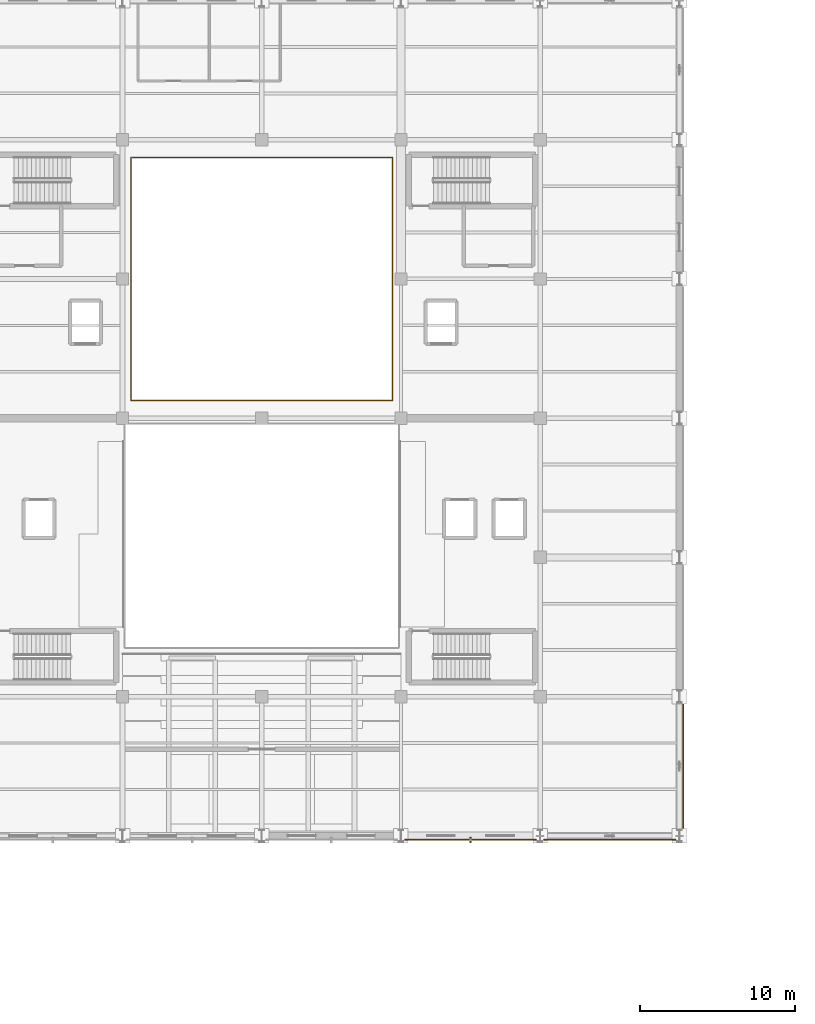
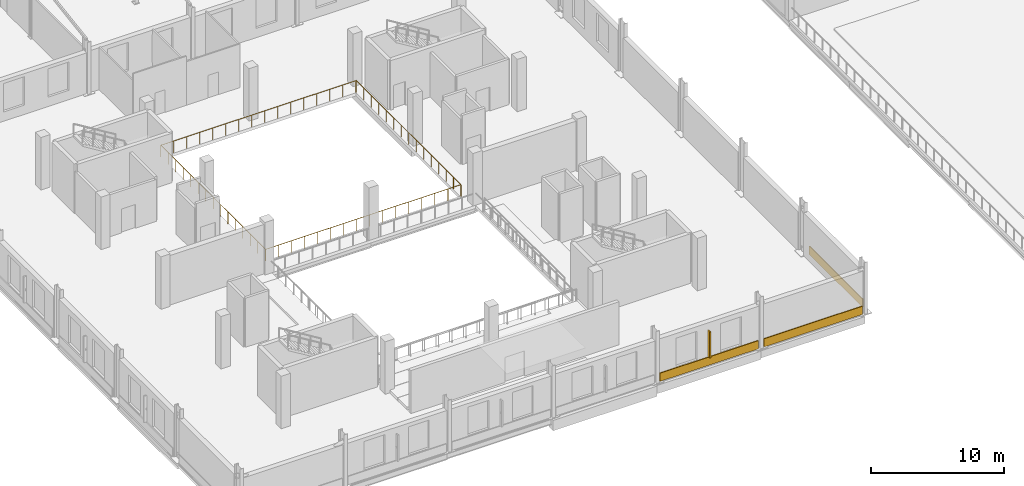
# One storey, part 46 of 54: 3 coverings, 2 railings, 1 shading device.
"""IFC4 building model written with IfcOpenShell, lengths in metres."""

from ifc_helpers import new_model, si_unit, direction, frame, origin, origin_2d, place, context, subcontext, project, spatial, rectangle, circle, extrude, material, layer, layer_set, type_object, element, save


model = new_model("IFC4")

# Units and contexts
model_context = context("Model", 3, precision=1e-05, world=origin(), true_north=direction((0.0, 1.0)))
body_context = subcontext(model_context, "Body", "Model", "MODEL_VIEW")
ifc_project = project(units=[si_unit("LENGTHUNIT", "METRE"), si_unit("AREAUNIT", "SQUARE_METRE"), si_unit("VOLUMEUNIT", "CUBIC_METRE"), si_unit("PLANEANGLEUNIT", "RADIAN"), si_unit("MASSUNIT", "GRAM", prefix="KILO")], contexts=[model_context])

# Site, building, storey
site_placement = place(None, origin())
site = spatial("IfcSite", under=ifc_project, at=site_placement, CompositionType="ELEMENT")
building_placement = place(site_placement, origin())
building = spatial("IfcBuilding", under=site, at=building_placement, Name="Sundgate Opera House", CompositionType="ELEMENT")
storey_placement = place(building_placement, frame((0.0, 0.0, 16.800048828125)))
storey = spatial("IfcBuildingStorey", under=building, at=storey_placement, Name="L03", CompositionType="ELEMENT", Elevation=16.800048828125)

# Coverings
ifc_material_1 = material(Name="Deep-carved Komstad limestone relief panel", Category="masonry")
ifc_layer_1 = layer(ifc_material_1, 0.094970703125)
ifc_layer_set_1 = layer_set([ifc_layer_1], Name="Deep-carved Komstad limestone relief panel")
covering_type_1 = type_object("IfcCoveringType", Name="CV-TRENC-DEEP", PredefinedType="CLADDING", material=ifc_layer_set_1)
covering_1_placement = place(storey_placement, frame((67.5, 32.742431640625, 0.044921875), z_axis=(0.0, 0.0, 1.0), x_axis=(1.0, 0.0, 0.0)))
element("IfcCovering", 1, at=covering_1_placement, inside=storey, type_object=covering_type_1, Name="L03 Trencadis 750mm Relief Band CV0033", PredefinedType="CLADDING", context=body_context, shape_type="SweptSolid", body=[
    extrude(rectangle(XDim=8.510009765625, YDim=0.074951171875, at=origin_2d()), origin(), (0.0, 0.0, 1.0), 0.75),
])
ifc_material_2 = material(Name="Frost-proof vitrified stoneware trencadis relief tile", Category="masonry")
ifc_layer_2 = layer(ifc_material_2, 0.074951171875)
ifc_layer_set_2 = layer_set([ifc_layer_2], Name="Frost-proof vitrified stoneware trencadis relief tile")
covering_type_2 = type_object("IfcCoveringType", Name="CV-TRENC-RELIEF", PredefinedType="CLADDING", material=ifc_layer_set_2)
covering_2_placement = place(storey_placement, frame((81.257568359375, 37.5, 0.044921875), z_axis=(0.0, 0.0, 1.0), x_axis=(0.0, 1.0, 0.0)))
element("IfcCovering", 2, at=covering_2_placement, inside=storey, type_object=covering_type_2, Name="L03 Trencadis 750mm Relief Band CV0038", PredefinedType="CLADDING", context=body_context, shape_type="SweptSolid", body=[
    extrude(rectangle(XDim=8.010009765625, YDim=0.074951171875, at=origin_2d()), origin(), (0.0, 0.0, 1.0), 0.75),
])
ifc_material_3 = material(Name="Polychrome trencadis mosaic panel", Category="masonry")
ifc_layer_3 = layer(ifc_material_3, 0.054931640625)
ifc_layer_set_3 = layer_set([ifc_layer_3], Name="Polychrome trencadis mosaic panel")
covering_type_3 = type_object("IfcCoveringType", Name="CV-TRENC-SLIM", PredefinedType="CLADDING", material=ifc_layer_set_3)
covering_3_placement = place(storey_placement, frame((76.5, 32.742431640625, 0.044921875), z_axis=(0.0, 0.0, 1.0), x_axis=(1.0, 0.0, 0.0)))
element("IfcCovering", 3, at=covering_3_placement, inside=storey, type_object=covering_type_3, Name="L03 Trencadis 750mm Relief Band CV0035", PredefinedType="CLADDING", context=body_context, shape_type="SweptSolid", body=[
    extrude(rectangle(XDim=8.510009765625, YDim=0.074951171875, at=origin_2d()), origin(), (0.0, 0.0, 1.0), 0.75),
])

# Railings
ifc_material_4 = material(Name="Painted steel S275 guardrail", Category="steel")
railing_type = type_object("IfcRailingType", Name="RL-STAIR-GUARD-1100", PredefinedType="GUARDRAIL", material=ifc_material_4)
railing_1_placement = place(storey_placement, frame((45.550048828125, 61.14990234375, 0.0)))
element("IfcRailing", 4, at=railing_1_placement, inside=storey, type_object=railing_type, Name="L03 Interior Guardrail RL0301", PredefinedType="GUARDRAIL", context=body_context, shape_type="SweptSolid", body=[
    extrude(circle(Radius=0.02392578125, at=origin_2d()), frame((0.0, 0.0, 1.076171875), z_axis=(1.0, 0.0, 0.0), x_axis=(0.0, 1.0, 0.0)), (0.0, 0.0, 1.0), 16.89990234375),
    extrude(circle(Radius=0.02392578125, at=origin_2d()), frame((16.89990234375, 0.0, 1.076171875), z_axis=(0.0, 1.0, 0.0), x_axis=(-1.0, 0.0, 0.0)), (0.0, 0.0, 1.0), 15.7001953125),
    extrude(circle(Radius=0.02099609375, at=origin_2d()), origin(), (0.0, 0.0, 1.0), 1.052001953125),
    extrude(circle(Radius=0.02099609375, at=origin_2d()), frame((1.126708984375, 0.0, 0.0)), (0.0, 0.0, 1.0), 1.052001953125),
    extrude(circle(Radius=0.02099609375, at=origin_2d()), frame((2.25341796875, 0.0, 0.0)), (0.0, 0.0, 1.0), 1.052001953125),
    extrude(circle(Radius=0.02099609375, at=origin_2d()), frame((3.3798828125, 0.0, 0.0)), (0.0, 0.0, 1.0), 1.052001953125),
    extrude(circle(Radius=0.02099609375, at=origin_2d()), frame((4.506591796875, 0.0, 0.0)), (0.0, 0.0, 1.0), 1.052001953125),
    extrude(circle(Radius=0.02099609375, at=origin_2d()), frame((5.63330078125, 0.0, 0.0)), (0.0, 0.0, 1.0), 1.052001953125),
    extrude(circle(Radius=0.02099609375, at=origin_2d()), frame((6.760009765625, 0.0, 0.0)), (0.0, 0.0, 1.0), 1.052001953125),
    extrude(circle(Radius=0.02099609375, at=origin_2d()), frame((7.88671875, 0.0, 0.0)), (0.0, 0.0, 1.0), 1.052001953125),
    extrude(circle(Radius=0.02099609375, at=origin_2d()), frame((9.01318359375, 0.0, 0.0)), (0.0, 0.0, 1.0), 1.052001953125),
    extrude(circle(Radius=0.02099609375, at=origin_2d()), frame((10.139892578125, 0.0, 0.0)), (0.0, 0.0, 1.0), 1.052001953125),
    extrude(circle(Radius=0.02099609375, at=origin_2d()), frame((11.2666015625, 0.0, 0.0)), (0.0, 0.0, 1.0), 1.052001953125),
    extrude(circle(Radius=0.02099609375, at=origin_2d()), frame((12.393310546875, 0.0, 0.0)), (0.0, 0.0, 1.0), 1.052001953125),
    extrude(circle(Radius=0.02099609375, at=origin_2d()), frame((13.52001953125, 0.0, 0.0)), (0.0, 0.0, 1.0), 1.052001953125),
    extrude(circle(Radius=0.02099609375, at=origin_2d()), frame((14.646484375, 0.0, 0.0)), (0.0, 0.0, 1.0), 1.052001953125),
    extrude(circle(Radius=0.02099609375, at=origin_2d()), frame((15.773193359375, 0.0, 0.0)), (0.0, 0.0, 1.0), 1.052001953125),
    extrude(circle(Radius=0.02099609375, at=origin_2d()), frame((16.89990234375, 0.0, 0.0)), (0.0, 0.0, 1.0), 1.052001953125),
    extrude(circle(Radius=0.02099609375, at=origin_2d()), frame((16.89990234375, 1.121337890625, 0.0)), (0.0, 0.0, 1.0), 1.052001953125),
    extrude(circle(Radius=0.02099609375, at=origin_2d()), frame((16.89990234375, 2.242919921875, 0.0)), (0.0, 0.0, 1.0), 1.052001953125),
    extrude(circle(Radius=0.02099609375, at=origin_2d()), frame((16.89990234375, 3.3642578125, 0.0)), (0.0, 0.0, 1.0), 1.052001953125),
    extrude(circle(Radius=0.02099609375, at=origin_2d()), frame((16.89990234375, 4.48583984375, 0.0)), (0.0, 0.0, 1.0), 1.052001953125),
    extrude(circle(Radius=0.02099609375, at=origin_2d()), frame((16.89990234375, 5.607177734375, 0.0)), (0.0, 0.0, 1.0), 1.052001953125),
    extrude(circle(Radius=0.02099609375, at=origin_2d()), frame((16.89990234375, 6.728759765625, 0.0)), (0.0, 0.0, 1.0), 1.052001953125),
    extrude(circle(Radius=0.02099609375, at=origin_2d()), frame((16.89990234375, 7.85009765625, 0.0)), (0.0, 0.0, 1.0), 1.052001953125),
    extrude(circle(Radius=0.02099609375, at=origin_2d()), frame((16.89990234375, 8.971435546875, 0.0)), (0.0, 0.0, 1.0), 1.052001953125),
    extrude(circle(Radius=0.02099609375, at=origin_2d()), frame((16.89990234375, 10.093017578125, 0.0)), (0.0, 0.0, 1.0), 1.052001953125),
    extrude(circle(Radius=0.02099609375, at=origin_2d()), frame((16.89990234375, 11.21435546875, 0.0)), (0.0, 0.0, 1.0), 1.052001953125),
    extrude(circle(Radius=0.02099609375, at=origin_2d()), frame((16.89990234375, 12.3359375, 0.0)), (0.0, 0.0, 1.0), 1.052001953125),
    extrude(circle(Radius=0.02099609375, at=origin_2d()), frame((16.89990234375, 13.457275390625, 0.0)), (0.0, 0.0, 1.0), 1.052001953125),
    extrude(circle(Radius=0.02099609375, at=origin_2d()), frame((16.89990234375, 14.578857421875, 0.0)), (0.0, 0.0, 1.0), 1.052001953125),
    extrude(circle(Radius=0.02099609375, at=origin_2d()), frame((16.89990234375, 15.7001953125, 0.0)), (0.0, 0.0, 1.0), 1.052001953125),
])
railing_2_placement = place(storey_placement, frame((62.39990234375, 76.85009765625, 0.0)))
element("IfcRailing", 5, at=railing_2_placement, inside=storey, type_object=railing_type, Name="L03 Interior Guardrail RL0302", PredefinedType="GUARDRAIL", context=body_context, shape_type="SweptSolid", body=[
    extrude(circle(Radius=0.02392578125, at=origin_2d()), frame((0.0, 0.0, 1.076171875), z_axis=(-1.0, 0.0, 0.0), x_axis=(0.0, -1.0, 0.0)), (0.0, 0.0, 1.0), 16.849853515625),
    extrude(circle(Radius=0.02392578125, at=origin_2d()), frame((-16.849853515625, 0.0, 1.076171875), z_axis=(0.0, -1.0, 0.0), x_axis=(1.0, 0.0, 0.0)), (0.0, 0.0, 1.0), 15.650146484375),
    extrude(circle(Radius=0.02099609375, at=origin_2d()), origin(), (0.0, 0.0, 1.0), 1.052001953125),
    extrude(circle(Radius=0.02099609375, at=origin_2d()), frame((-1.123291015625, 0.0, 0.0)), (0.0, 0.0, 1.0), 1.052001953125),
    extrude(circle(Radius=0.02099609375, at=origin_2d()), frame((-2.24658203125, 0.0, 0.0)), (0.0, 0.0, 1.0), 1.052001953125),
    extrude(circle(Radius=0.02099609375, at=origin_2d()), frame((-3.369873046875, 0.0, 0.0)), (0.0, 0.0, 1.0), 1.052001953125),
    extrude(circle(Radius=0.02099609375, at=origin_2d()), frame((-4.493408203125, 0.0, 0.0)), (0.0, 0.0, 1.0), 1.052001953125),
    extrude(circle(Radius=0.02099609375, at=origin_2d()), frame((-5.61669921875, 0.0, 0.0)), (0.0, 0.0, 1.0), 1.052001953125),
    extrude(circle(Radius=0.02099609375, at=origin_2d()), frame((-6.739990234375, 0.0, 0.0)), (0.0, 0.0, 1.0), 1.052001953125),
    extrude(circle(Radius=0.02099609375, at=origin_2d()), frame((-7.86328125, 0.0, 0.0)), (0.0, 0.0, 1.0), 1.052001953125),
    extrude(circle(Radius=0.02099609375, at=origin_2d()), frame((-8.986572265625, 0.0, 0.0)), (0.0, 0.0, 1.0), 1.052001953125),
    extrude(circle(Radius=0.02099609375, at=origin_2d()), frame((-10.10986328125, 0.0, 0.0)), (0.0, 0.0, 1.0), 1.052001953125),
    extrude(circle(Radius=0.02099609375, at=origin_2d()), frame((-11.233154296875, 0.0, 0.0)), (0.0, 0.0, 1.0), 1.052001953125),
    extrude(circle(Radius=0.02099609375, at=origin_2d()), frame((-12.3564453125, 0.0, 0.0)), (0.0, 0.0, 1.0), 1.052001953125),
    extrude(circle(Radius=0.02099609375, at=origin_2d()), frame((-13.47998046875, 0.0, 0.0)), (0.0, 0.0, 1.0), 1.052001953125),
    extrude(circle(Radius=0.02099609375, at=origin_2d()), frame((-14.603271484375, 0.0, 0.0)), (0.0, 0.0, 1.0), 1.052001953125),
    extrude(circle(Radius=0.02099609375, at=origin_2d()), frame((-15.7265625, 0.0, 0.0)), (0.0, 0.0, 1.0), 1.052001953125),
    extrude(circle(Radius=0.02099609375, at=origin_2d()), frame((-16.849853515625, 0.0, 0.0)), (0.0, 0.0, 1.0), 1.052001953125),
    extrude(circle(Radius=0.02099609375, at=origin_2d()), frame((-16.849853515625, -1.117919921875, 0.0)), (0.0, 0.0, 1.0), 1.052001953125),
    extrude(circle(Radius=0.02099609375, at=origin_2d()), frame((-16.849853515625, -2.23583984375, 0.0)), (0.0, 0.0, 1.0), 1.052001953125),
    extrude(circle(Radius=0.02099609375, at=origin_2d()), frame((-16.849853515625, -3.353515625, 0.0)), (0.0, 0.0, 1.0), 1.052001953125),
    extrude(circle(Radius=0.02099609375, at=origin_2d()), frame((-16.849853515625, -4.471435546875, 0.0)), (0.0, 0.0, 1.0), 1.052001953125),
    extrude(circle(Radius=0.02099609375, at=origin_2d()), frame((-16.849853515625, -5.58935546875, 0.0)), (0.0, 0.0, 1.0), 1.052001953125),
    extrude(circle(Radius=0.02099609375, at=origin_2d()), frame((-16.849853515625, -6.707275390625, 0.0)), (0.0, 0.0, 1.0), 1.052001953125),
    extrude(circle(Radius=0.02099609375, at=origin_2d()), frame((-16.849853515625, -7.8251953125, 0.0)), (0.0, 0.0, 1.0), 1.052001953125),
    extrude(circle(Radius=0.02099609375, at=origin_2d()), frame((-16.849853515625, -8.94287109375, 0.0)), (0.0, 0.0, 1.0), 1.052001953125),
    extrude(circle(Radius=0.02099609375, at=origin_2d()), frame((-16.849853515625, -10.060791015625, 0.0)), (0.0, 0.0, 1.0), 1.052001953125),
    extrude(circle(Radius=0.02099609375, at=origin_2d()), frame((-16.849853515625, -11.1787109375, 0.0)), (0.0, 0.0, 1.0), 1.052001953125),
    extrude(circle(Radius=0.02099609375, at=origin_2d()), frame((-16.849853515625, -12.296630859375, 0.0)), (0.0, 0.0, 1.0), 1.052001953125),
    extrude(circle(Radius=0.02099609375, at=origin_2d()), frame((-16.849853515625, -13.414306640625, 0.0)), (0.0, 0.0, 1.0), 1.052001953125),
    extrude(circle(Radius=0.02099609375, at=origin_2d()), frame((-16.849853515625, -14.5322265625, 0.0)), (0.0, 0.0, 1.0), 1.052001953125),
    extrude(circle(Radius=0.02099609375, at=origin_2d()), frame((-16.849853515625, -15.650146484375, 0.0)), (0.0, 0.0, 1.0), 1.052001953125),
])

# Shading device
ifc_material_5 = material(Name="Frost-proof vitrified stoneware ceramic fin", Category="masonry")
shading_device_type = type_object("IfcShadingDeviceType", Name="SD-CERAMIC-FIN", PredefinedType="JALOUSIE", material=ifc_material_5)
shading_device_placement = place(storey_placement, frame((67.5, 32.719970703125, 0.800048828125), z_axis=(0.0, 0.0, 1.0), x_axis=(1.0, 0.0, 0.0)))
element("IfcShadingDevice", 6, at=shading_device_placement, inside=storey, type_object=shading_device_type, Name="L03 Ceramic Brise-Soleil Fin SD0012", PredefinedType="JALOUSIE", context=body_context, shape_type="SweptSolid", body=[
    extrude(rectangle(XDim=0.1201171875, YDim=0.35009765625, at=origin_2d()), origin(), (0.0, 0.0, 1.0), 2.39990234375),
])

save(model, "model.ifc")
